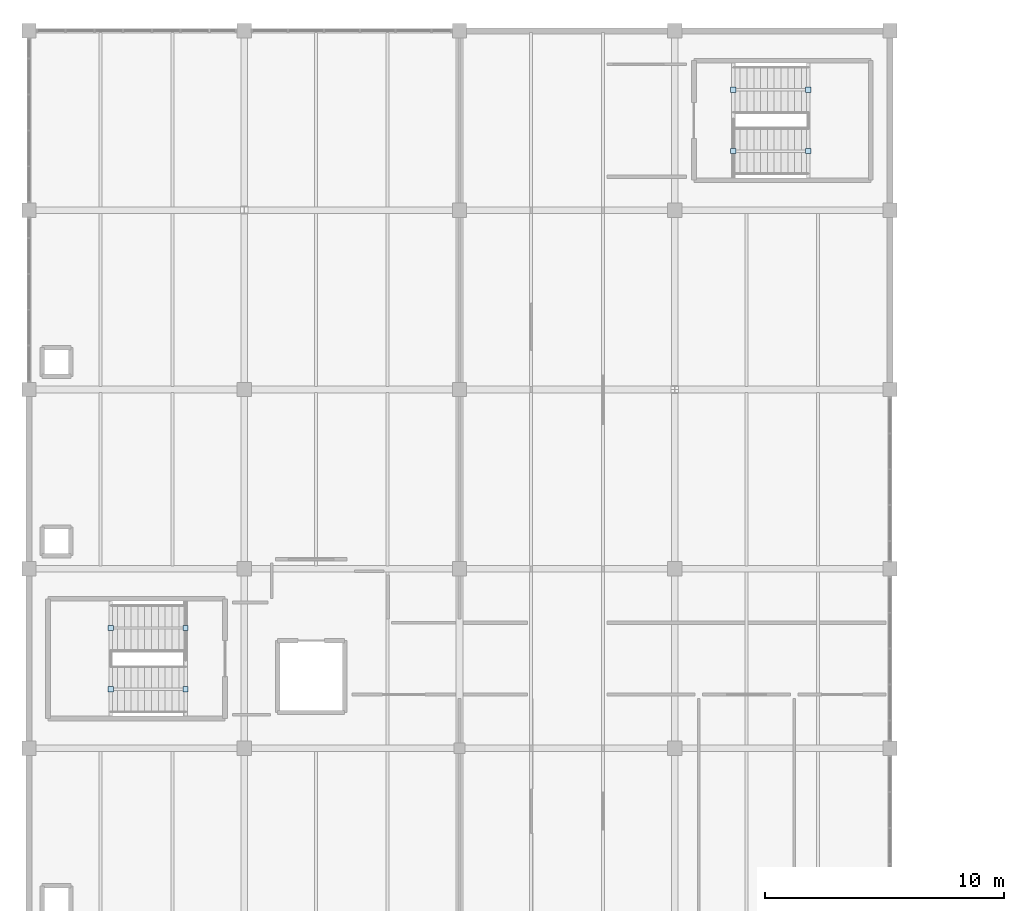
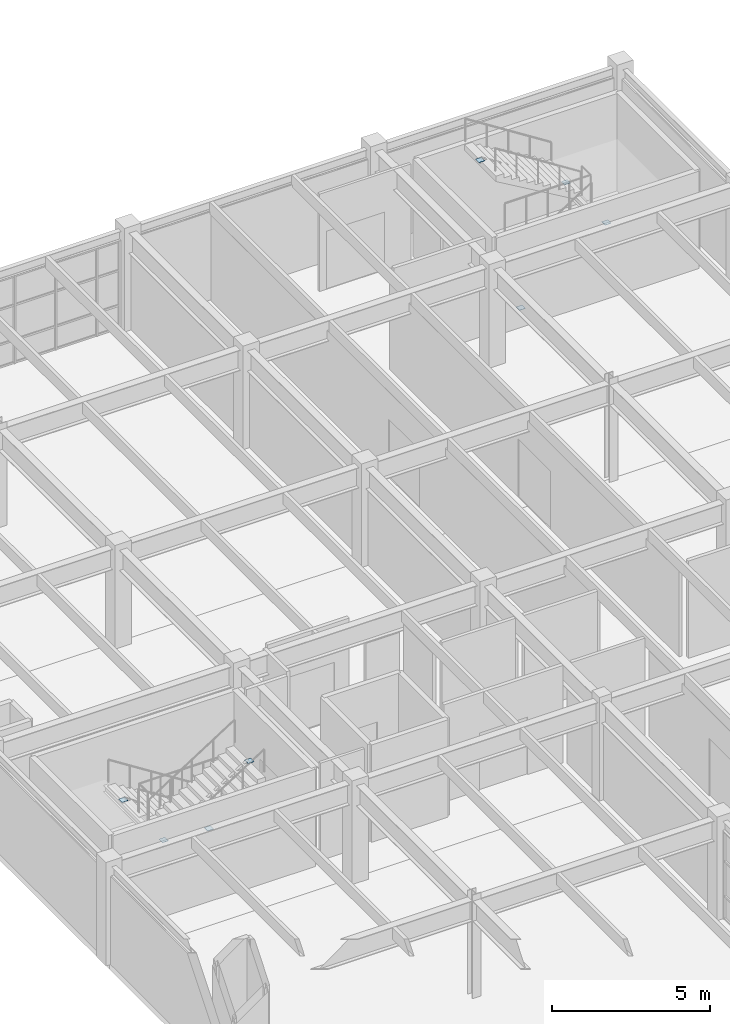
# One storey, part 62 of 76: 8 plates.
"""IFC4 building model written with IfcOpenShell, lengths in metres."""

from ifc_helpers import new_model, si_unit, direction, frame, origin, origin_2d, place, context, subcontext, project, spatial, rectangle, extrude, material, layer, layer_set, type_object, element, save


model = new_model("IFC4")

# Units and contexts
model_context = context("Model", 3, precision=1e-05, world=origin(), true_north=direction((0.0, 1.0)))
body_context = subcontext(model_context, "Body", "Model", "MODEL_VIEW")
ifc_project = project(units=[si_unit("LENGTHUNIT", "METRE"), si_unit("AREAUNIT", "SQUARE_METRE"), si_unit("VOLUMEUNIT", "CUBIC_METRE"), si_unit("PLANEANGLEUNIT", "RADIAN"), si_unit("MASSUNIT", "GRAM", prefix="KILO")], contexts=[model_context])

# Site, building, storey
site_placement = place(None, origin())
site = spatial("IfcSite", under=ifc_project, at=site_placement, CompositionType="ELEMENT")
building_placement = place(site_placement, origin())
building = spatial("IfcBuilding", under=site, at=building_placement, Name="Marnridge Secondary College", CompositionType="ELEMENT")
storey_placement = place(building_placement, frame((0.0, 0.0, 4.5)))
storey = spatial("IfcBuildingStorey", under=building, at=storey_placement, Name="L01", CompositionType="ELEMENT", Elevation=4.5)

# Plates
ifc_material = material(Name="Structural steel plate Grade 350 (AS/NZS 3678, fy = 350 MPa <=12mm, 340 MPa 12-20mm, 330 MPa 20-50mm)", Category="steel")
ifc_layer = layer(ifc_material, 0.010009765625)
ifc_layer_set = layer_set([ifc_layer], Name="PT-CAP-INT")
plate_type = type_object("IfcPlateType", Name="PT-CAP-INT", PredefinedType="SHEET", material=ifc_layer_set)
for number, where, z_axis, x_axis, name in (
    (1, (6.54833984375, 95.030029296875, -0.31201171875), (0.0, 0.0, 1.0), (-1.0, 0.0, 0.0), "Tube end cap STR-039-EC1"),
    (2, (3.41650390625, 95.030029296875, 1.8857421875), (0.0, 0.0, 1.0), (-1.0, 0.0, 0.0), "Tube end cap STR-039-EC2"),
    (3, (3.416748046875, 92.469970703125, 1.88818359375), (0.0, 0.0, 1.0), (1.0, 0.0, 0.0), "Tube end cap STR-040-EC1"),
    (4, (6.54833984375, 92.469970703125, 3.845703125), (0.0, 0.0, 1.0), (1.0, 0.0, 0.0), "Tube end cap STR-040-EC2"),
    (5, (29.45166015625, 114.969970703125, -0.31201171875), (0.0, 0.0, 1.0), (1.0, 0.0, 0.0), "Tube end cap STR-045-EC1"),
    (6, (32.58349609375, 114.969970703125, 1.8857421875), (0.0, 0.0, 1.0), (1.0, 0.0, 0.0), "Tube end cap STR-045-EC2"),
    (7, (32.583251953125, 117.530029296875, 1.88818359375), (0.0, 0.0, 1.0), (-1.0, 0.0, 0.0), "Tube end cap STR-046-EC1"),
    (8, (29.45166015625, 117.530029296875, 3.845703125), (0.0, 0.0, 1.0), (-1.0, 0.0, 0.0), "Tube end cap STR-046-EC2"),
):
    element("IfcPlate", number, at=place(storey_placement, frame(where, z_axis=z_axis, x_axis=x_axis)), inside=storey, type_object=plate_type, Name=name, PredefinedType="SHEET", context=body_context, shape_type="SweptSolid", body=[
        extrude(rectangle(XDim=0.219970703125, YDim=0.219970703125, at=origin_2d()), origin(), (0.0, 0.0, 1.0), 0.010009765625),
    ])

save(model, "model.ifc")
